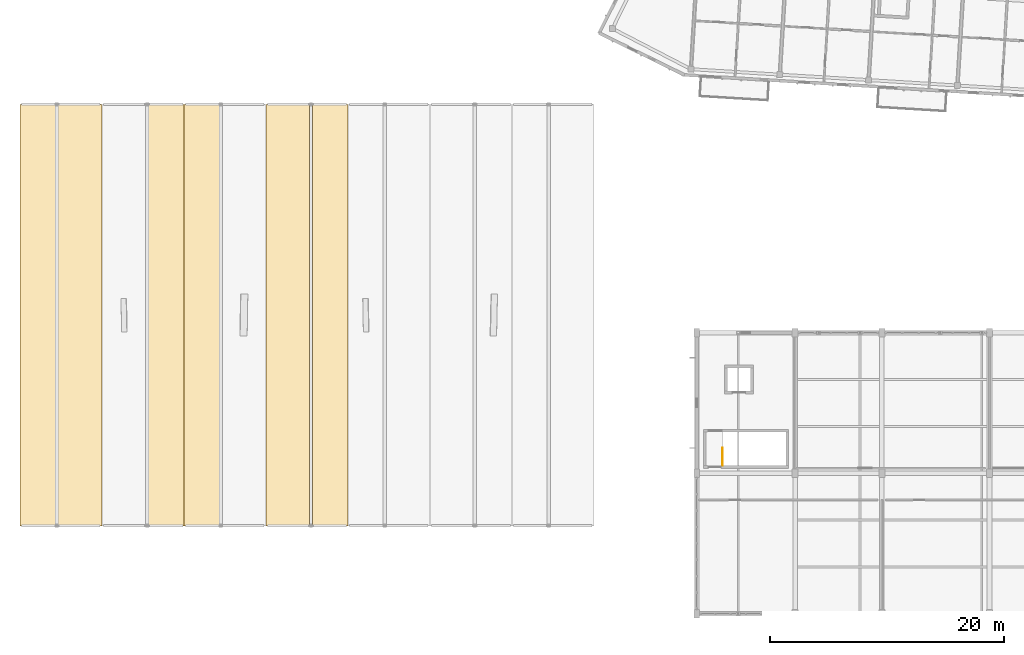
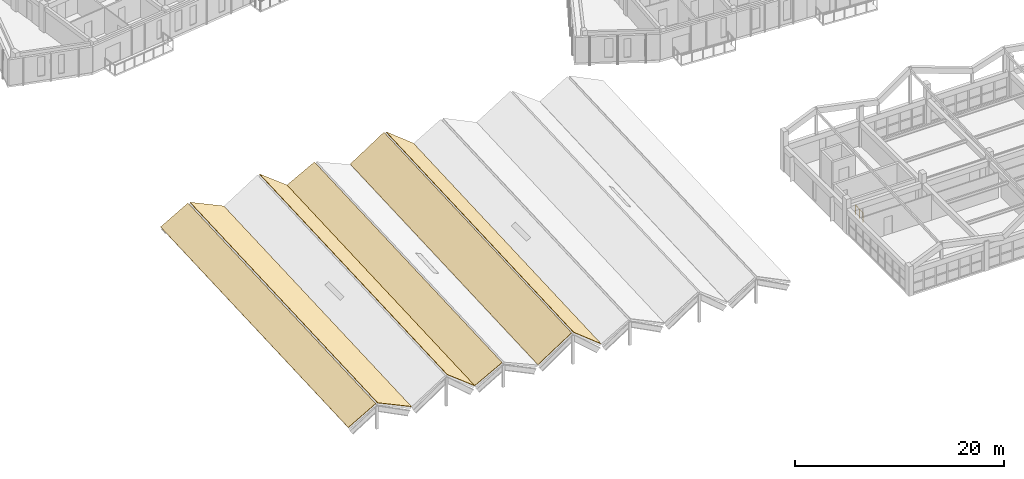
# One storey, part 95 of 127: 6 coverings, 1 railing.
"""IFC4 building model written with IfcOpenShell, lengths in metres."""

from ifc_helpers import new_model, si_unit, direction, frame, origin, origin_2d, place, context, subcontext, project, spatial, polyline, circle, outline, extrude, material, layer, layer_set, type_object, element, save


model = new_model("IFC4")

# Units and contexts
model_context = context("Model", 3, precision=1e-05, world=origin(), true_north=direction((0.0, 1.0)))
body_context = subcontext(model_context, "Body", "Model", "MODEL_VIEW")
ifc_project = project(units=[si_unit("LENGTHUNIT", "METRE"), si_unit("AREAUNIT", "SQUARE_METRE"), si_unit("VOLUMEUNIT", "CUBIC_METRE"), si_unit("PLANEANGLEUNIT", "RADIAN"), si_unit("MASSUNIT", "GRAM", prefix="KILO")], contexts=[model_context])

# Site, building, storey
site_placement = place(None, origin())
site = spatial("IfcSite", under=ifc_project, at=site_placement, CompositionType="ELEMENT")
building_placement = place(site_placement, origin())
building = spatial("IfcBuilding", under=site, at=building_placement, Name="Kestramere Prow Commons", CompositionType="ELEMENT")
storey_placement = place(building_placement, frame((0.0, 0.0, 8.39990234375)))
storey = spatial("IfcBuildingStorey", under=building, at=storey_placement, Name="L02", CompositionType="ELEMENT", Elevation=8.39990234375)

# Coverings
ifc_material_1 = material(Name="Fluoropolymer Standing-Seam Zinc-Aluminium Roofing", Category="aluminium")
ifc_layer = layer(ifc_material_1, 0.044921875)
ifc_layer_set = layer_set([ifc_layer], Name="Fluoropolymer Standing-Seam Zinc-Aluminium Roofing")
covering_type = type_object("IfcCoveringType", Name="COV-ROOF-SEAM", PredefinedType="ROOFING", material=ifc_layer_set)
covering_1_placement = place(storey_placement, frame((2.199951171875, 7.5, 0.09521484375), z_axis=(-0.49572023229, -0.039764280674, 0.867571468688), x_axis=(0.868258208098, -1.204714e-06, 0.496112571973)))
element("IfcCovering", 1, at=covering_1_placement, inside=storey, type_object=covering_type, Name="Standing-Seam Roofing SL-HL-PLEAT-0-L", PredefinedType="ROOFING", context=body_context, shape_type="SweptSolid", body=[
    extrude(outline(polyline([(0.0, 0.0), (3.4956234477035615, -1.3877787807814457e-17), (4.314238494510037, 36.02850056294074), (0.8184939255730839, 36.02849213367798), (0.0, 0.0)])), origin(), (0.0, 0.0, -1.0), 0.044921875),
])
covering_2_placement = place(storey_placement, frame((5.465087890625, 7.5, 1.84130859375), z_axis=(0.423149730741, -0.041481739358, 0.905109700906), x_axis=(0.905889434171, 0.0, -0.423514265472)))
element("IfcCovering", 2, at=covering_2_placement, inside=storey, type_object=covering_type, Name="Standing-Seam Roofing SL-HL-PLEAT-0-R", PredefinedType="ROOFING", context=body_context, shape_type="SweptSolid", body=[
    extrude(outline(polyline([(0.0, 0.0), (4.122868796532165, 0.0), (3.4241116173186517, 36.03101325453407), (-0.6987571792135131, 36.03101325453407), (0.0, 0.0)])), origin(), (0.0, 0.0, -1.0), 0.044921875),
])
covering_3_placement = place(storey_placement, frame((13.1650390625, 7.5, 2.45556640625), z_axis=(0.613537005643, -0.036155601973, 0.788837825635), x_axis=(0.78935394707, 9.0554e-07, -0.613938389615)))
element("IfcCovering", 3, at=covering_3_placement, inside=storey, type_object=covering_type, Name="Standing-Seam Roofing SL-HL-PLEAT-1-R", PredefinedType="ROOFING", context=body_context, shape_type="SweptSolid", body=[
    extrude(outline(polyline([(0.0, 0.0), (3.844730289754371, 0.0), (2.831824501239606, 36.02355062453218), (-1.013055675816917, 36.02355759233557), (0.0, 0.0)])), origin(), (0.0, 0.0, -1.0), 0.044921875),
])
covering_4_placement = place(storey_placement, frame((16.199951171875, 7.5, 0.09521484375), z_axis=(-0.47452852564, -0.040299649863, 0.879317130832), x_axis=(0.880032034408, 0.0, 0.474914327449)))
element("IfcCovering", 4, at=covering_4_placement, inside=storey, type_object=covering_type, Name="Standing-Seam Roofing SL-HL-PLEAT-2-L", PredefinedType="ROOFING", context=body_context, shape_type="SweptSolid", body=[
    extrude(outline(polyline([(0.0, 0.0), (3.4489156432156305, 1.3877787807814457e-17), (4.232477905153671, 36.029268767567), (0.7835622619380403, 36.029268767567), (0.0, 0.0)])), origin(), (0.0, 0.0, -1.0), 0.044921875),
])
covering_5_placement = place(storey_placement, frame((23.199951171875, 7.5, 0.09521484375), z_axis=(-0.54418754701, -0.038409904467, 0.838083881791), x_axis=(0.838702787964, 0.0, 0.544589417324)))
element("IfcCovering", 5, at=covering_5_placement, inside=storey, type_object=covering_type, Name="Standing-Seam Roofing SL-HL-PLEAT-3-L", PredefinedType="ROOFING", context=body_context, shape_type="SweptSolid", body=[
    extrude(outline(polyline([(0.0, 0.0), (4.453433892763415, -2.7755575615628914e-17), (5.351953248787366, 36.026585193586726), (0.8985193560239514, 36.026585193586726), (0.0, 0.0)])), origin(), (0.0, 0.0, -1.0), 0.044921875),
])
covering_6_placement = place(storey_placement, frame((27.1650390625, 7.5, 2.50390625), z_axis=(0.621262587717, -0.035875329231, 0.782780785314), x_axis=(0.783285006877, 0.0, -0.621662768711)))
element("IfcCovering", 6, at=covering_6_placement, inside=storey, type_object=covering_type, Name="Standing-Seam Roofing SL-HL-PLEAT-3-R", PredefinedType="ROOFING", context=body_context, shape_type="SweptSolid", body=[
    extrude(outline(polyline([(0.0, 0.0), (3.8745949210431814, 0.0), (2.8489120619244823, 36.02318909281106), (-1.0256828591186986, 36.02318909281106), (0.0, 0.0)])), origin(), (0.0, 0.0, -1.0), 0.044921875),
])

# Railing
ifc_material_2 = material(Name="Galvanised Steel S275JR", Category="steel")
railing_type = type_object("IfcRailingType", Name="RL-ST-GR-1100", PredefinedType="GUARDRAIL", material=ifc_material_2)
railing_placement = place(storey_placement, frame((62.199951171875, 12.64990234375, 0.0)))
element("IfcRailing", 7, at=railing_placement, inside=storey, type_object=railing_type, Name="L02 ST-M1 top well guard 1", PredefinedType="GUARDRAIL", context=body_context, shape_type="SweptSolid", body=[
    extrude(circle(Radius=0.02392578125, at=origin_2d()), frame((0.0, 0.0, 1.076171875), z_axis=(0.0, 1.0, 0.0), x_axis=(-1.0, 0.0, 0.0)), (0.0, 0.0, 1.0), 1.5),
    extrude(circle(Radius=0.02099609375, at=origin_2d()), origin(), (0.0, 0.0, 1.0), 1.052001953125),
    extrude(circle(Radius=0.02099609375, at=origin_2d()), frame((0.0, 0.75, 0.0)), (0.0, 0.0, 1.0), 1.052001953125),
    extrude(circle(Radius=0.02099609375, at=origin_2d()), frame((0.0, 1.5, 0.0)), (0.0, 0.0, 1.0), 1.052001953125),
])

save(model, "model.ifc")
